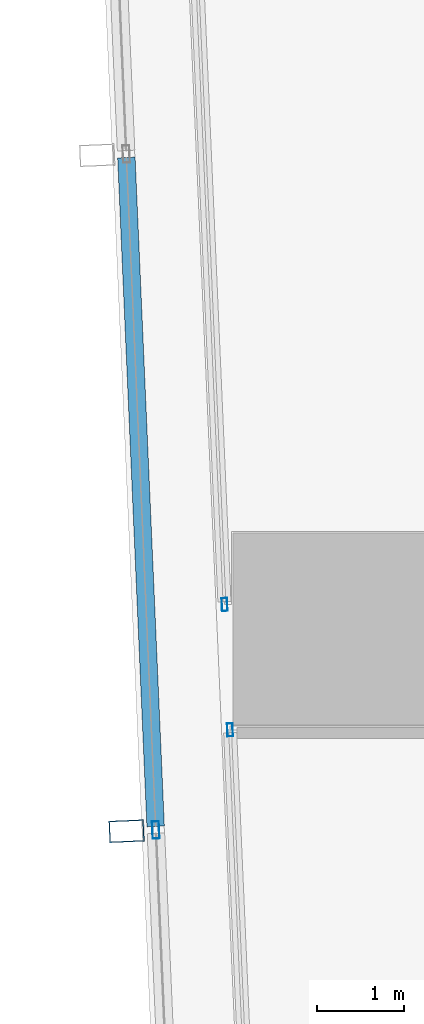
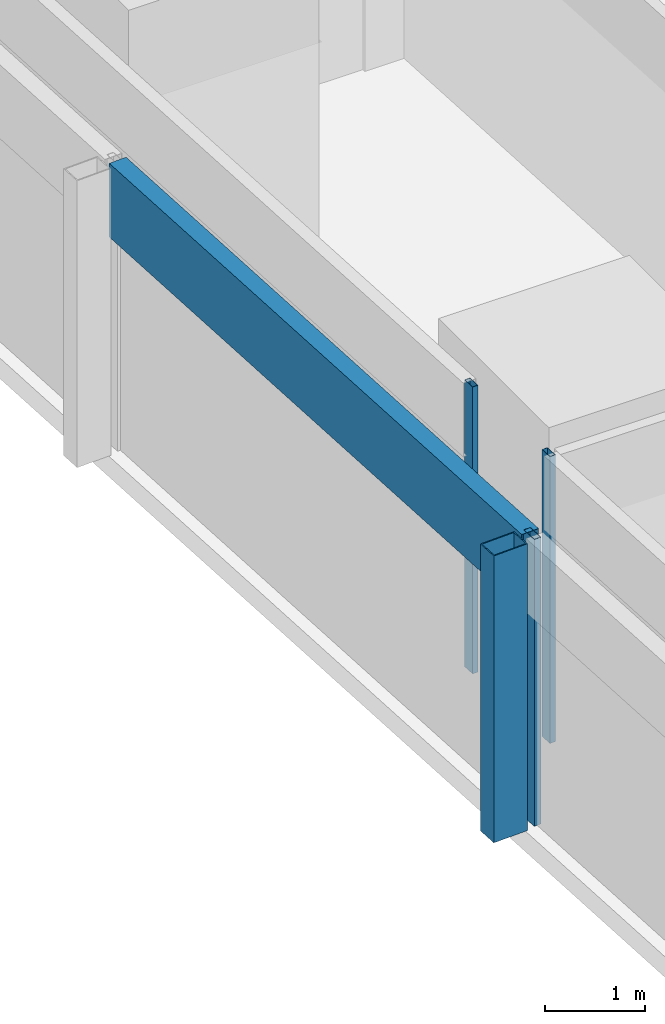
# One storey, part 4 of 44: 5 members, 3 elements without a shape of their own.
"""IFC4 building model written with IfcOpenShell, lengths in metres."""

from ifc_helpers import new_model, si_unit, direction, frame, origin, origin_2d, place, context, subcontext, project, spatial, hollow_rectangle, extrude, material, material_profile, profile_set, type_object, element, aggregate, save


model = new_model("IFC4")

# Units and contexts
model_context = context("Model", 3, precision=1e-05, world=origin(), true_north=direction((0.0, 1.0)))
body_context = subcontext(model_context, "Body", "Model", "MODEL_VIEW")
ifc_project = project(units=[si_unit("LENGTHUNIT", "METRE"), si_unit("AREAUNIT", "SQUARE_METRE"), si_unit("VOLUMEUNIT", "CUBIC_METRE"), si_unit("PLANEANGLEUNIT", "RADIAN"), si_unit("MASSUNIT", "GRAM", prefix="KILO")], contexts=[model_context])

# Site, building, storey
site_placement = place(None, origin())
site = spatial("IfcSite", under=ifc_project, at=site_placement, CompositionType="ELEMENT")
building_placement = place(site_placement, origin())
building = spatial("IfcBuilding", under=site, at=building_placement, Name="Rekha Terrace Tower", CompositionType="ELEMENT")
storey_placement = place(building_placement, frame((0.0, 0.0, 62.89990234375)))
storey = spatial("IfcBuildingStorey", under=building, at=storey_placement, Name="L15", CompositionType="ELEMENT", Elevation=62.89990234375)

# Curtain wall, member
ifc_material_1 = material(Name="Aluminium framing", Category="aluminium")
curtain_wall_type_1 = type_object("IfcCurtainWallType", Name="CW2 double skin outer glazing", PredefinedType="USERDEFINED", material=ifc_material_1)
curtain_wall_1_placement = place(storey_placement, origin())
curtain_wall_1 = element("IfcCurtainWall", 1, at=curtain_wall_1_placement, inside=storey, type_object=curtain_wall_type_1, Name="CW2 double skin outer glazing", ObjectType="DOUBLE SKIN OUTER GLAZING", PredefinedType="USERDEFINED")
ifc_material_2 = material(Name="Steel S355 with fluorocarbon finish", Category="steel")
ifc_material_profile_1 = material_profile(ifc_material_2, hollow_rectangle(XDim=0.25, YDim=0.39990234375, WallThickness=0.012451171875, at=origin_2d()), Name="RHS400x250x12.5")
ifc_profile_set_1 = profile_set([ifc_material_profile_1], Name="Steel S355 with fluorocarbon finish")
member_type_1 = type_object("IfcMemberType", Name="BL1 facade blade RHS 400 x 250", PredefinedType="USERDEFINED", material=ifc_profile_set_1)
member_1_placement = place(storey_placement, frame((6.080078125, 14.482421875, 0.0), z_axis=(0.0, 0.0, 1.0), x_axis=(0.04368215933, -0.999045478923, 0.0)))
member_1 = element("IfcMember", 2, at=member_1_placement, type_object=member_type_1, Name="Facade blade", ObjectType="FACADE BLADE", PredefinedType="USERDEFINED", context=body_context, shape_type="SweptSolid", body=[
    extrude(hollow_rectangle(XDim=0.25, YDim=0.39990234375, WallThickness=0.012451171875, at=origin_2d()), origin(), (0.0, 0.0, 1.0), 3.5),
])

curtain_wall_type_2 = type_object("IfcCurtainWallType", Name="CW1 double skin inner glazing", PredefinedType="USERDEFINED", material=ifc_material_1)
curtain_wall_2_placement = place(storey_placement, origin())
curtain_wall_2 = element("IfcCurtainWall", 3, at=curtain_wall_2_placement, inside=storey, type_object=curtain_wall_type_2, Name="CW1 double skin inner glazing", ObjectType="DOUBLE SKIN INNER GLAZING", PredefinedType="USERDEFINED")
ifc_material_3 = material(Name="Aluminium mullion section", Category="aluminium")
ifc_material_profile_2 = material_profile(ifc_material_3, hollow_rectangle(XDim=0.06494140625, YDim=0.14990234375, WallThickness=0.00390625, at=origin_2d()), Name="AL RHS 65x150")
ifc_profile_set_2 = profile_set([ifc_material_profile_2], Name="Aluminium mullion section")
member_type_2 = type_object("IfcMemberType", Name="CW1 mullion RHS 65 x 150", PredefinedType="MULLION", material=ifc_profile_set_2)
member_2_placement = place(storey_placement, frame((7.202880859375, 17.07958984375, 0.0), z_axis=(0.0, 0.0, 1.0), x_axis=(0.999045462133, 0.043682543337, 0.0)))
member_2 = element("IfcMember", 4, at=member_2_placement, type_object=member_type_2, Name="CW1 mullion 4", PredefinedType="MULLION", context=body_context, shape_type="SweptSolid", body=[
    extrude(hollow_rectangle(XDim=0.06494140625, YDim=0.14990234375, WallThickness=0.00390625, at=origin_2d()), origin(), (0.0, 0.0, 1.0), 3.5),
])
aggregate(curtain_wall_2, [member_2])

curtain_wall_3_placement = place(storey_placement, origin())
curtain_wall_3 = element("IfcCurtainWall", 5, at=curtain_wall_3_placement, inside=storey, type_object=curtain_wall_type_2, Name="CW1 double skin inner glazing", ObjectType="DOUBLE SKIN INNER GLAZING", PredefinedType="USERDEFINED")
member_3_placement = place(storey_placement, frame((7.265625, 15.643310546875, 0.0), z_axis=(0.0, 0.0, 1.0), x_axis=(0.999045462129, 0.043682543424, 0.0)))
member_3 = element("IfcMember", 6, at=member_3_placement, type_object=member_type_2, Name="CW1 mullion 1", PredefinedType="MULLION", context=body_context, shape_type="SweptSolid", body=[
    extrude(hollow_rectangle(XDim=0.06494140625, YDim=0.14990234375, WallThickness=0.00390625, at=origin_2d()), origin(), (0.0, 0.0, 1.0), 3.5),
])
aggregate(curtain_wall_3, [member_3])

# Member
ifc_material_profile_3 = material_profile(ifc_material_3, hollow_rectangle(XDim=0.080078125, YDim=0.199951171875, WallThickness=0.00390625, at=origin_2d()), Name="AL RHS 80x200")
ifc_profile_set_3 = profile_set([ifc_material_profile_3], Name="Aluminium mullion section")
member_type_3 = type_object("IfcMemberType", Name="CW2 mullion RHS 80 x 200", PredefinedType="MULLION", material=ifc_profile_set_3)
member_4_placement = place(storey_placement, frame((6.414794921875, 14.4970703125, 0.0), z_axis=(0.0, 0.0, 1.0), x_axis=(0.999045462131, 0.043682543372, 0.0)))
member_4 = element("IfcMember", 7, at=member_4_placement, type_object=member_type_3, Name="CW2 mullion 5", PredefinedType="MULLION", context=body_context, shape_type="SweptSolid", body=[
    extrude(hollow_rectangle(XDim=0.080078125, YDim=0.199951171875, WallThickness=0.00390625, at=origin_2d()), origin(), (0.0, 0.0, 1.0), 3.5),
])

ifc_material_4 = material(Name="Insulated aluminium spandrel box", Category="aluminium")
ifc_material_profile_4 = material_profile(ifc_material_4, hollow_rectangle(XDim=0.199951171875, YDim=0.89990234375, WallThickness=0.0029296875, at=origin_2d()), Name="AL SPANDREL BOX 200x900")
ifc_profile_set_4 = profile_set([ifc_material_profile_4], Name="Insulated aluminium spandrel box")
member_type_4 = type_object("IfcMemberType", Name="CW2 spandrel transom 200 x 900", PredefinedType="USERDEFINED", material=ifc_profile_set_4)
member_5_placement = place(storey_placement, frame((6.077880859375, 22.201416015625, 3.050048828125), z_axis=(0.043694095051, -0.999044956975, 0.0), x_axis=(0.999044956975, 0.043694095051, 0.0)))
member_5 = element("IfcMember", 8, at=member_5_placement, type_object=member_type_4, Name="CW2 spandrel transom 4", ObjectType="TRANSOM", PredefinedType="USERDEFINED", context=body_context, shape_type="SweptSolid", body=[
    extrude(hollow_rectangle(XDim=0.199951171875, YDim=0.89990234375, WallThickness=0.0029296875, at=origin_2d()), origin(), (0.0, 0.0, 1.0), 7.671630859375),
])

aggregate(curtain_wall_1, [member_4, member_5, member_1])

save(model, "model.ifc")
